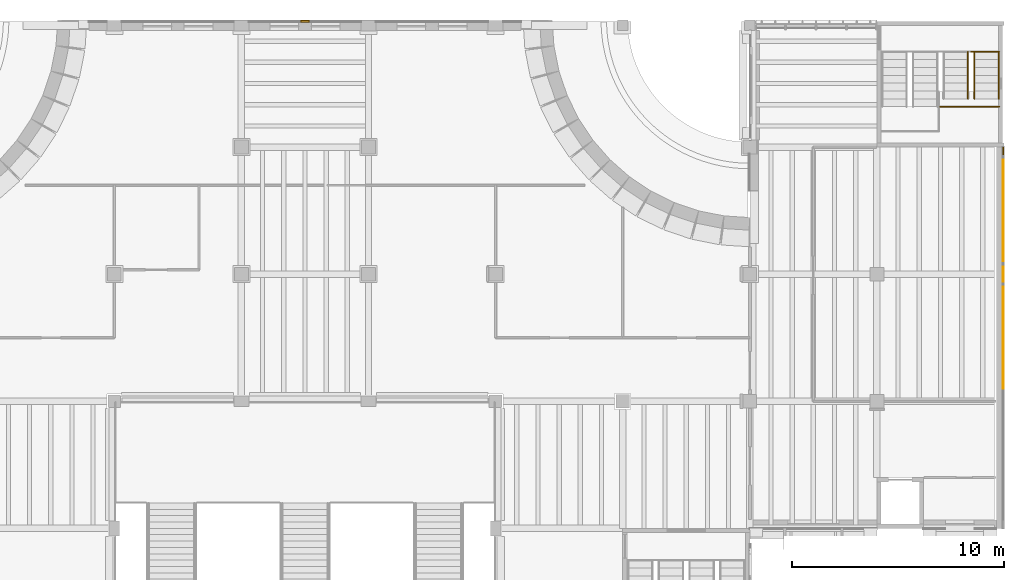
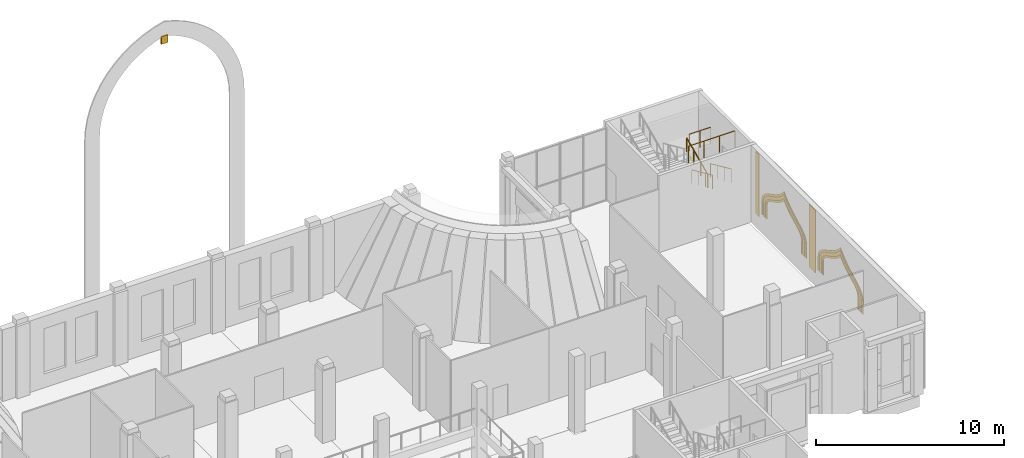
# One storey, part 80 of 80: 9 coverings, 5 railings.
"""IFC4 building model written with IfcOpenShell, lengths in metres."""

from ifc_helpers import new_model, si_unit, direction, frame, origin, origin_2d, place, context, subcontext, project, spatial, polyline, rectangle, circle, outline, extrude, material, layer, layer_set, type_object, element, save


model = new_model("IFC4")

# Units and contexts
model_context = context("Model", 3, precision=1e-05, world=origin(), true_north=direction((0.0, 1.0)))
body_context = subcontext(model_context, "Body", "Model", "MODEL_VIEW")
ifc_project = project(units=[si_unit("LENGTHUNIT", "METRE"), si_unit("AREAUNIT", "SQUARE_METRE"), si_unit("VOLUMEUNIT", "CUBIC_METRE"), si_unit("PLANEANGLEUNIT", "RADIAN"), si_unit("MASSUNIT", "GRAM", prefix="KILO")], contexts=[model_context])

# Site, building, storey
site_placement = place(None, origin())
site = spatial("IfcSite", under=ifc_project, at=site_placement, CompositionType="ELEMENT")
building_placement = place(site_placement, origin())
building = spatial("IfcBuilding", under=site, at=building_placement, Name="Saffron Lane Theatres", CompositionType="ELEMENT")
storey_placement = place(building_placement, frame((0.0, 0.0, 7.0)))
storey = spatial("IfcBuildingStorey", under=building, at=storey_placement, Name="L01", CompositionType="ELEMENT", Elevation=7.0)

# Coverings
ifc_material_1 = material(Name="Face brick cladding, pale buff", Category="masonry")
ifc_layer_1 = layer(ifc_material_1, 0.0400390625)
ifc_layer_set_1 = layer_set([ifc_layer_1], Name="Face brick cladding, pale buff")
covering_type_1 = type_object("IfcCoveringType", Name="EX-FACE BRICK SKIN PALE BUFF 40", PredefinedType="CLADDING", material=ifc_layer_set_1)
covering_1_placement = place(storey_placement, frame((65.9599609375, 114.0, 0.4501953125), z_axis=(0.0, 0.0, 1.0), x_axis=(0.0, 1.0, 0.0)))
element("IfcCovering", 1, at=covering_1_placement, inside=storey, type_object=covering_type_1, Name="Face brick cladding, pale buff L01", PredefinedType="CLADDING", context=body_context, shape_type="SweptSolid", body=[
    extrude(rectangle(XDim=0.699951171875, YDim=0.0400390625, at=origin_2d()), origin(), (0.0, 0.0, 1.0), 4.050048828125),
])
covering_2_placement = place(storey_placement, frame((65.9599609375, 119.824951171875, 0.4501953125), z_axis=(0.0, 0.0, 1.0), x_axis=(0.0, 1.0, 0.0)))
element("IfcCovering", 2, at=covering_2_placement, inside=storey, type_object=covering_type_1, Name="Face brick cladding, pale buff L01", PredefinedType="CLADDING", context=body_context, shape_type="SweptSolid", body=[
    extrude(rectangle(XDim=0.35009765625, YDim=0.0400390625, at=origin_2d()), origin(), (0.0, 0.0, 1.0), 4.050048828125),
])
ifc_material_2 = material(Name="Face brick cladding, pale buff", Category="masonry")
ifc_layer_2 = layer(ifc_material_2, 0.0400390625)
ifc_layer_set_2 = layer_set([ifc_layer_2], Name="Face brick cladding, pale buff")
covering_type_2 = type_object("IfcCoveringType", Name="EX-NICHE FRAME RING FACE BRICK PALE BUFF", PredefinedType="CLADDING", material=ifc_layer_set_2)
covering_3_placement = place(storey_placement, frame((65.93994140625, 109.06005859375, 1.653076171875), z_axis=(-1.0, 0.0, 0.0), x_axis=(0.0, 0.099876874266, 0.994999804013)))
element("IfcCovering", 3, at=covering_3_placement, inside=storey, type_object=covering_type_2, Name="Court wall niche ring", PredefinedType="CLADDING", context=body_context, shape_type="SweptSolid", body=[
    extrude(outline(polyline([(0.0, 0.0), (0.12955404561894843, 0.0), (0.2497165696687542, 0.02621556314756866), (0.35832475713464534, 0.0766554825965173), (0.4560332954801446, 0.14806426397447273), (0.545415847158482, 0.23674842101498333), (0.629993370116488, 0.33867401156754484), (0.7107863118552822, 0.45422933937018484), (0.7928219175708685, 0.5797199980054137), (0.8766094908627686, 0.7128865565994715), (0.966084517720423, 0.8538247108603083), (1.0620958374763683, 0.9987687426649909), (1.1672911847423917, 1.1472075081119215), (1.284900749737322, 1.2970991920478225), (1.4163567475517749, 1.4456009878408547), (1.5628006255483649, 1.5918622158564055), (1.7737061445861615, 1.7716477667142003), (1.602741621653962, 1.9897649695121649), (1.48828955494586, 2.162214616219664), (1.3889716724349337, 2.3338812143938426), (1.3035002227435304, 2.5041579244251517), (1.2299065427258913, 2.670543315716844), (1.1646190661280977, 2.831678325185822), (1.104941290333349, 2.9875882569856316), (1.0492928559339147, 3.134751233018403), (0.9938358129503803, 3.274043237072293), (0.9376219457381072, 3.403351142288582), (0.8749900250359238, 3.520053438360064), (0.8050171393527361, 3.6247335010448185), (0.7234508106665197, 3.7141376762725486), (0.6270346244538634, 3.785157693836958), (0.5144799091860761, 3.8347331313857245), (0.38751056783281335, 3.860482638032556), (-0.46125147201652905, 3.94568034279016), (-0.47322401724720553, 3.826406684643043), (0.369465025751469, 3.7418185799481005), (0.4779246088247263, 3.7198900004864806), (0.5665061690245021, 3.6808180870362555), (0.6429831423196513, 3.6238225515172187), (0.711121246833107, 3.549752233261906), (0.7722082339425219, 3.4592139718798656), (0.8297903657482713, 3.3508703278373937), (0.8836987945348853, 3.227928027501851), (0.9375050865562837, 3.0917461339563324), (0.9929106010816914, 2.9446075419260676), (1.0527337607404408, 2.787701546627645), (1.1194046844238374, 2.623237890778774), (1.1948188832701196, 2.452989245354123), (1.2836649868933148, 2.2772210739281493), (1.3855312277039264, 2.099164486870719), (1.5061998348246213, 1.9202020111163973), (1.6085206302479953, 1.7882288884185995), (1.4820109043382035, 1.679225496081896), (1.32818005380871, 1.527816943159885), (1.1929564975692482, 1.3735591425487692), (1.0709481505372547, 1.2189562852984104), (0.9632007643673937, 1.0670931777636374), (0.8651720134606774, 0.9191618756141529), (0.7753565307189705, 0.7772764258597157), (0.691811877301097, 0.6440854832631513), (0.6120122386078021, 0.5213147910961914), (0.5347439354199902, 0.41153985211414157), (0.45689869753136475, 0.31801708084041325), (0.37891359668496644, 0.24021186952193999), (0.2974130587979655, 0.18116209681061266), (0.21113371649521562, 0.14050384297091023), (0.11655369167884827, 0.11981746741056327), (0.0058995483800086505, 0.11988325820977884), (-0.8367894946186659, 0.20447136290472157), (-0.8487620398493424, 0.08519770475760445), (0.0, 0.0)])), origin(), (0.0, 0.0, -1.0), 0.0400390625),
])
covering_4_placement = place(storey_placement, frame((65.93994140625, 108.800048828125, 1.655029296875), z_axis=(-1.0, 0.0, 0.0), x_axis=(0.0, 0.097602498656, 0.995225478098)))
element("IfcCovering", 4, at=covering_4_placement, inside=storey, type_object=covering_type_2, Name="Court wall niche ring", PredefinedType="CLADDING", context=body_context, shape_type="SweptSolid", body=[
    extrude(outline(polyline([(0.0, 0.0), (0.15258398432499873, 1.734723475976807e-18), (0.29645993322143693, 0.031272675590742816), (0.42680155125957014, 0.0896304195681118), (0.5423986512082086, 0.17273879716981205), (0.6477579890667828, 0.27402303070438017), (0.7455808058629483, 0.39101040061938547), (0.8397117312704844, 0.5203801187765632), (0.9321183937863253, 0.662184530265965), (1.0282032754657822, 0.8114781959827291), (1.1289621049248337, 0.9684087759570008), (1.2382156831022364, 1.1294125070802765), (1.357688663524685, 1.2945655631776314), (1.4896486823694093, 1.459475253669747), (1.6372544142495142, 1.6238318050013187), (1.8037168788681561, 1.7853578151201082), (2.0688627291888095, 2.007610379858595), (1.8519462385555683, 2.2771391548835567), (1.7200354397208926, 2.467926851611112), (1.6071720035049413, 2.657827806887796), (1.5097636504441834, 2.8452318232420244), (1.4246517059255135, 3.030448674229103), (1.3487583567809058, 3.209609901440229), (1.2804066069537123, 3.3831252809908046), (1.215251423334661, 3.549213126644078), (1.1520587899575392, 3.7052960286675165), (1.0848543351264734, 3.850488026880248), (1.0116227728744827, 3.9842508262517446), (0.9279475838872251, 4.104073815634537), (0.8306986099066238, 4.2080561651167585), (0.7142968018571942, 4.2918387787291215), (0.5791183412443062, 4.349251967275562), (0.4294414625921653, 4.378894913644702), (-0.42145688318431607, 4.462343143696736), (-0.44097261716850117, 4.263346643071111), (0.399963754828187, 4.180875391155038), (0.519311732050513, 4.157150565041714), (0.615662245530231, 4.116546791196799), (0.6983006892264692, 4.056190949192467), (0.77276314236467, 3.977502606620111), (0.8416270146773671, 3.8792477475135207), (0.9062786697809234, 3.7605544745518387), (0.9683618997569547, 3.6256771935242464), (1.0300158218675641, 3.473915495875056), (1.0941467605156083, 3.3098905936588103), (1.1635227553138088, 3.134312270671207), (1.2418314006657907, 2.949762624264784), (1.3294348152169098, 2.757432700555713), (1.432764804248489, 2.56037140572199), (1.5516975364654069, 2.3598174433498347), (1.691526116122866, 2.157214209765664), (1.7901704383248391, 2.0349419389304635), (1.669651337371362, 1.934163187086392), (1.4932218207179218, 1.7635568663836765), (1.337497521624836, 1.5889574747070354), (1.1978525404175568, 1.415724914896738), (1.0745536808013472, 1.2440783331879997), (0.9618839995455866, 1.0782580725099888), (0.8597196653551532, 0.9195028364489235), (0.7649449734669844, 0.7710619269379977), (0.6750778290886398, 0.6351412598243799), (0.5878791123979186, 0.5139229222202154), (0.501400336012905, 0.4100511224431035), (0.4147602273727329, 0.32704665375150543), (0.3264294504508987, 0.26432356364484505), (0.23363996563468137, 0.2211720683274247), (0.13123695345901337, 0.20006019973167052), (0.009553760204391889, 0.19997347876158528), (-0.8313826117922963, 0.2824447306776592), (-0.8508983457764814, 0.08344823005203435), (0.0, 0.0)])), origin(), (0.0, 0.0, -1.0), 0.0400390625),
])
covering_5_placement = place(storey_placement, frame((65.93994140625, 108.60009765625, 1.653076171875), z_axis=(-1.0, 0.0, 0.0), x_axis=(0.0, 0.095154505176, 0.99546251569)))
element("IfcCovering", 5, at=covering_5_placement, inside=storey, type_object=covering_type_2, Name="Court wall niche ring", PredefinedType="CLADDING", context=body_context, shape_type="SweptSolid", body=[
    extrude(outline(polyline([(0.0, 0.0), (0.16677235193015855, 0.0), (0.32047811465792414, 0.032641454919435056), (0.4590908231729695, 0.0946845225504361), (0.5839400100746629, 0.18207805987853046), (0.6988087674501847, 0.29078164592633693), (0.8063811785848192, 0.41808617932202474), (0.9105332598872079, 0.5609233704511917), (1.0145852688434076, 0.715542293337932), (1.1229582587475542, 0.8820108542171596), (1.235986399755671, 1.0561278015551183), (1.3596293574845506, 1.2360971941389518), (1.4949396785753588, 1.4201016466816205), (1.6451107430752343, 1.605628628491308), (1.814574326315404, 1.7902924863151148), (2.003537721012975, 1.9711303639033744), (2.2729968091763255, 2.193569745407349), (2.0505574276723513, 2.4630288335707), (1.899274845327305, 2.6763902236703863), (1.7678637717255044, 2.889814158986441), (1.6555593682210754, 3.100430707590657), (1.5575581621969465, 3.3067369972840184), (1.4702486141594036, 3.506870967624936), (1.3923458666636273, 3.700219675493003), (1.317379170324789, 3.8832323396046915), (1.2446194266206547, 4.055978653201097), (1.169297116051609, 4.2147452174361355), (1.0877899770868467, 4.36012353135603), (0.995594754147862, 4.488619997875076), (0.8895627423420656, 4.598083061550211), (0.7653068414927785, 4.68623428949945), (0.6204753514645593, 4.7464313797445), (0.45672303998189034, 4.778025649041314), (-0.39243370558018253, 4.859195043837689), (-0.40574511462950213, 4.719937226090961), (0.4373358099139526, 4.639348608303719), (0.5794010143725186, 4.6117893989657395), (0.6963212548449152, 4.562353659948372), (0.797934000362758, 4.491327312240725), (0.8884637335401684, 4.39928755883957), (0.9690326942594091, 4.285146112980101), (1.0446873879782967, 4.150382615780968), (1.1174078175464282, 3.997750843768552), (1.1885949958104496, 3.8290789042669844), (1.2617335848251565, 3.6474672530019423), (1.3414876707254295, 3.4529605651279733), (1.4296174546004858, 3.2485788810925684), (1.5307995316284795, 3.0370634683788333), (1.6466547164164358, 2.819976170389789), (1.7812806141395585, 2.5991325854062923), (1.938844523214147, 2.3770774102314363), (2.075897175332353, 2.2124101515836108), (1.9101309078826303, 2.076688819070955), (1.7133529351514076, 1.8885045590687133), (1.5393271251287282, 1.6971644461491542), (1.3844437253270598, 1.505956571687059), (1.2450232900177747, 1.3174399285349754), (1.1197702397189615, 1.1334551330603078), (1.004611987341964, 0.9575797716393137), (0.8983923398870634, 0.7931126576838663), (0.7965401355408397, 0.6409812474023956), (0.6962211824987262, 0.5048900046100767), (0.5964061651999217, 0.3868993474346942), (0.4957655510450578, 0.29106041889072065), (0.389345758897779, 0.21686570922248327), (0.27611747319728386, 0.1663756365577664), (0.15194913565091217, 0.13998512926278028), (0.00723558803070144, 0.13983859475586066), (-0.8358453365127533, 0.22042721254310266), (-0.8491567455620729, 0.08116939479637461), (0.0, 0.0)])), origin(), (0.0, 0.0, -1.0), 0.0400390625),
])
covering_6_placement = place(storey_placement, frame((65.93994140625, 115.06005859375, 1.653076171875), z_axis=(-1.0, 0.0, 0.0), x_axis=(0.0, 0.099876874266, 0.994999804013)))
element("IfcCovering", 6, at=covering_6_placement, inside=storey, type_object=covering_type_2, Name="Court wall niche ring", PredefinedType="CLADDING", context=body_context, shape_type="SweptSolid", body=[
    extrude(outline(polyline([(0.0, 0.0), (0.12955404561894843, 0.0), (0.2497165696687542, 0.02621556314756866), (0.35832475713464534, 0.0766554825965173), (0.4560332954801446, 0.14806426397447273), (0.545415847158482, 0.23674842101498333), (0.629993370116488, 0.33867401156754484), (0.7107863118552822, 0.45422933937018484), (0.7928219175708685, 0.5797199980054137), (0.8766094908627686, 0.7128865565994715), (0.966084517720423, 0.8538247108603083), (1.0620958374763683, 0.9987687426649909), (1.1672911847423917, 1.1472075081119215), (1.284900749737322, 1.2970991920478225), (1.4163567475517749, 1.4456009878408547), (1.5628006255483649, 1.5918622158564055), (1.7737061445861615, 1.7716477667142003), (1.602741621653962, 1.9897649695121649), (1.48828955494586, 2.162214616219664), (1.3889716724349337, 2.3338812143938426), (1.3035002227435304, 2.5041579244251517), (1.2299065427258913, 2.670543315716844), (1.1646190661280977, 2.831678325185822), (1.104941290333349, 2.9875882569856316), (1.0492928559339147, 3.134751233018403), (0.9938358129503803, 3.274043237072293), (0.9376219457381072, 3.403351142288582), (0.8749900250359238, 3.520053438360064), (0.8050171393527361, 3.6247335010448185), (0.7234508106665197, 3.7141376762725486), (0.6270346244538634, 3.785157693836958), (0.5144799091860761, 3.8347331313857245), (0.38751056783281335, 3.860482638032556), (-0.46125147201652905, 3.94568034279016), (-0.47322401724720553, 3.826406684643043), (0.369465025751469, 3.7418185799481005), (0.4779246088247263, 3.7198900004864806), (0.5665061690245021, 3.6808180870362555), (0.6429831423196513, 3.6238225515172187), (0.711121246833107, 3.549752233261906), (0.7722082339425219, 3.4592139718798656), (0.8297903657482713, 3.3508703278373937), (0.8836987945348853, 3.227928027501851), (0.9375050865562837, 3.0917461339563324), (0.9929106010816914, 2.9446075419260676), (1.0527337607404408, 2.787701546627645), (1.1194046844238374, 2.623237890778774), (1.1948188832701196, 2.452989245354123), (1.2836649868933148, 2.2772210739281493), (1.3855312277039264, 2.099164486870719), (1.5061998348246213, 1.9202020111163973), (1.6085206302479953, 1.7882288884185995), (1.4820109043382035, 1.679225496081896), (1.32818005380871, 1.527816943159885), (1.1929564975692482, 1.3735591425487692), (1.0709481505372547, 1.2189562852984104), (0.9632007643673937, 1.0670931777636374), (0.8651720134606774, 0.9191618756141529), (0.7753565307189705, 0.7772764258597157), (0.691811877301097, 0.6440854832631513), (0.6120122386078021, 0.5213147910961914), (0.5347439354199902, 0.41153985211414157), (0.45689869753136475, 0.31801708084041325), (0.37891359668496644, 0.24021186952193999), (0.2974130587979655, 0.18116209681061266), (0.21113371649521562, 0.14050384297091023), (0.11655369167884827, 0.11981746741056327), (0.0058995483800086505, 0.11988325820977884), (-0.8367894946186659, 0.20447136290472157), (-0.8487620398493424, 0.08519770475760445), (0.0, 0.0)])), origin(), (0.0, 0.0, -1.0), 0.0400390625),
])
covering_7_placement = place(storey_placement, frame((65.93994140625, 114.800048828125, 1.655029296875), z_axis=(-1.0, 0.0, 0.0), x_axis=(0.0, 0.097602498656, 0.995225478098)))
element("IfcCovering", 7, at=covering_7_placement, inside=storey, type_object=covering_type_2, Name="Court wall niche ring", PredefinedType="CLADDING", context=body_context, shape_type="SweptSolid", body=[
    extrude(outline(polyline([(0.0, 0.0), (0.15258398432499873, 1.734723475976807e-18), (0.29645993322143693, 0.031272675590742816), (0.42680155125957014, 0.0896304195681118), (0.5423986512082086, 0.17273879716981205), (0.6477579890667828, 0.27402303070438017), (0.7455808058629483, 0.39101040061938547), (0.8397117312704844, 0.5203801187765632), (0.9321183937863253, 0.662184530265965), (1.0282032754657822, 0.8114781959827291), (1.1289621049248337, 0.9684087759570008), (1.2382156831022364, 1.1294125070802765), (1.357688663524685, 1.2945655631776314), (1.4896486823694093, 1.459475253669747), (1.6372544142495142, 1.6238318050013187), (1.8037168788681561, 1.7853578151201082), (2.0688627291888095, 2.007610379858595), (1.8519462385555683, 2.2771391548835567), (1.7200354397208926, 2.467926851611112), (1.6071720035049413, 2.657827806887796), (1.5097636504441834, 2.8452318232420244), (1.4246517059255135, 3.030448674229103), (1.3487583567809058, 3.209609901440229), (1.2804066069537123, 3.3831252809908046), (1.215251423334661, 3.549213126644078), (1.1520587899575392, 3.7052960286675165), (1.0848543351264734, 3.850488026880248), (1.0116227728744827, 3.9842508262517446), (0.9279475838872251, 4.104073815634537), (0.8306986099066238, 4.2080561651167585), (0.7142968018571942, 4.2918387787291215), (0.5791183412443062, 4.349251967275562), (0.4294414625921653, 4.378894913644702), (-0.42145688318431607, 4.462343143696736), (-0.44097261716850117, 4.263346643071111), (0.399963754828187, 4.180875391155038), (0.519311732050513, 4.157150565041714), (0.615662245530231, 4.116546791196799), (0.6983006892264692, 4.056190949192467), (0.77276314236467, 3.977502606620111), (0.8416270146773671, 3.8792477475135207), (0.9062786697809234, 3.7605544745518387), (0.9683618997569547, 3.6256771935242464), (1.0300158218675641, 3.473915495875056), (1.0941467605156083, 3.3098905936588103), (1.1635227553138088, 3.134312270671207), (1.2418314006657907, 2.949762624264784), (1.3294348152169098, 2.757432700555713), (1.432764804248489, 2.56037140572199), (1.5516975364654069, 2.3598174433498347), (1.691526116122866, 2.157214209765664), (1.7901704383248391, 2.0349419389304635), (1.669651337371362, 1.934163187086392), (1.4932218207179218, 1.7635568663836765), (1.337497521624836, 1.5889574747070354), (1.1978525404175568, 1.415724914896738), (1.0745536808013472, 1.2440783331879997), (0.9618839995455866, 1.0782580725099888), (0.8597196653551532, 0.9195028364489235), (0.7649449734669844, 0.7710619269379977), (0.6750778290886398, 0.6351412598243799), (0.5878791123979186, 0.5139229222202154), (0.501400336012905, 0.4100511224431035), (0.4147602273727329, 0.32704665375150543), (0.3264294504508987, 0.26432356364484505), (0.23363996563468137, 0.2211720683274247), (0.13123695345901337, 0.20006019973167052), (0.009553760204391889, 0.19997347876158528), (-0.8313826117922963, 0.2824447306776592), (-0.8508983457764814, 0.08344823005203435), (0.0, 0.0)])), origin(), (0.0, 0.0, -1.0), 0.0400390625),
])
covering_8_placement = place(storey_placement, frame((65.93994140625, 114.60009765625, 1.653076171875), z_axis=(-1.0, 0.0, 0.0), x_axis=(0.0, 0.095154505176, 0.99546251569)))
element("IfcCovering", 8, at=covering_8_placement, inside=storey, type_object=covering_type_2, Name="Court wall niche ring", PredefinedType="CLADDING", context=body_context, shape_type="SweptSolid", body=[
    extrude(outline(polyline([(0.0, 0.0), (0.16677235193015855, 0.0), (0.32047811465792414, 0.032641454919435056), (0.4590908231729695, 0.0946845225504361), (0.5839400100746629, 0.18207805987853046), (0.6988087674501847, 0.29078164592633693), (0.8063811785848192, 0.41808617932202474), (0.9105332598872079, 0.5609233704511917), (1.0145852688434076, 0.715542293337932), (1.1229582587475542, 0.8820108542171596), (1.235986399755671, 1.0561278015551183), (1.3596293574845506, 1.2360971941389518), (1.4949396785753588, 1.4201016466816205), (1.6451107430752343, 1.605628628491308), (1.814574326315404, 1.7902924863151148), (2.003537721012975, 1.9711303639033744), (2.2729968091763255, 2.193569745407349), (2.0505574276723513, 2.4630288335707), (1.899274845327305, 2.6763902236703863), (1.7678637717255044, 2.889814158986441), (1.6555593682210754, 3.100430707590657), (1.5575581621969465, 3.3067369972840184), (1.4702486141594036, 3.506870967624936), (1.3923458666636273, 3.700219675493003), (1.317379170324789, 3.8832323396046915), (1.2446194266206547, 4.055978653201097), (1.169297116051609, 4.2147452174361355), (1.0877899770868467, 4.36012353135603), (0.995594754147862, 4.488619997875076), (0.8895627423420656, 4.598083061550211), (0.7653068414927785, 4.68623428949945), (0.6204753514645593, 4.7464313797445), (0.45672303998189034, 4.778025649041314), (-0.39243370558018253, 4.859195043837689), (-0.40574511462950213, 4.719937226090961), (0.4373358099139526, 4.639348608303719), (0.5794010143725186, 4.6117893989657395), (0.6963212548449152, 4.562353659948372), (0.797934000362758, 4.491327312240725), (0.8884637335401684, 4.39928755883957), (0.9690326942594091, 4.285146112980101), (1.0446873879782967, 4.150382615780968), (1.1174078175464282, 3.997750843768552), (1.1885949958104496, 3.8290789042669844), (1.2617335848251565, 3.6474672530019423), (1.3414876707254295, 3.4529605651279733), (1.4296174546004858, 3.2485788810925684), (1.5307995316284795, 3.0370634683788333), (1.6466547164164358, 2.819976170389789), (1.7812806141395585, 2.5991325854062923), (1.938844523214147, 2.3770774102314363), (2.075897175332353, 2.2124101515836108), (1.9101309078826303, 2.076688819070955), (1.7133529351514076, 1.8885045590687133), (1.5393271251287282, 1.6971644461491542), (1.3844437253270598, 1.505956571687059), (1.2450232900177747, 1.3174399285349754), (1.1197702397189615, 1.1334551330603078), (1.004611987341964, 0.9575797716393137), (0.8983923398870634, 0.7931126576838663), (0.7965401355408397, 0.6409812474023956), (0.6962211824987262, 0.5048900046100767), (0.5964061651999217, 0.3868993474346942), (0.4957655510450578, 0.29106041889072065), (0.389345758897779, 0.21686570922248327), (0.27611747319728386, 0.1663756365577664), (0.15194913565091217, 0.13998512926278028), (0.00723558803070144, 0.13983859475586066), (-0.8358453365127533, 0.22042721254310266), (-0.8491567455620729, 0.08116939479637461), (0.0, 0.0)])), origin(), (0.0, 0.0, -1.0), 0.0400390625),
])
ifc_material_3 = material(Name="Masonry sandstone", Category="masonry")
ifc_layer_3 = layer(ifc_material_3, 0.090087890625)
ifc_layer_set_3 = layer_set([ifc_layer_3], Name="Masonry sandstone")
covering_type_3 = type_object("IfcCoveringType", Name="EX-PORTAL KEYSTONE SANDSTONE 50", PredefinedType="CLADDING", material=ifc_layer_set_3)
covering_9_placement = place(storey_placement, frame((33.0, 125.945068359375, 19.47412109375), z_axis=(0.0, 0.0, 1.0), x_axis=(1.0, 0.0, 0.0)))
element("IfcCovering", 9, at=covering_9_placement, inside=storey, type_object=covering_type_3, Name="Portal keystone", PredefinedType="CLADDING", context=body_context, shape_type="SweptSolid", body=[
    extrude(rectangle(XDim=0.39990234375, YDim=0.090087890625, at=origin_2d()), origin(), (0.0, 0.0, 1.0), 0.5),
])

# Railings
ifc_material_4 = material(Name="Steel Grade 350", Category="steel")
railing_type_1 = type_object("IfcRailingType", Name="VC-GUARD 1100", PredefinedType="GUARDRAIL", material=ifc_material_4)
railing_1_placement = place(storey_placement, frame((65.77001953125, 121.909912109375, 3.666748046875)))
element("IfcRailing", 10, at=railing_1_placement, inside=storey, type_object=railing_type_1, Name="East Wing Street Stair landing guard 2N2s", PredefinedType="GUARDRAIL", context=body_context, shape_type="SweptSolid", body=[
    extrude(circle(Radius=0.02392578125, at=origin_2d()), frame((0.0, 0.0, 1.076171875), z_axis=(-1.0, 0.0, 0.0), x_axis=(0.0, -1.0, 0.0)), (0.0, 0.0, 1.0), 2.8701171875),
    extrude(circle(Radius=0.02099609375, at=origin_2d()), origin(), (0.0, 0.0, 1.0), 1.052001953125),
    extrude(circle(Radius=0.02099609375, at=origin_2d()), frame((-0.956787109375, 0.0, 0.0)), (0.0, 0.0, 1.0), 1.052001953125),
    extrude(circle(Radius=0.02099609375, at=origin_2d()), frame((-1.913330078125, 0.0, 0.0)), (0.0, 0.0, 1.0), 1.052001953125),
    extrude(circle(Radius=0.02099609375, at=origin_2d()), frame((-2.8701171875, 0.0, 0.0)), (0.0, 0.0, 1.0), 1.052001953125),
])
railing_2_placement = place(storey_placement, frame((65.77001953125, 124.5, 2.333251953125)))
element("IfcRailing", 11, at=railing_2_placement, inside=storey, type_object=railing_type_1, Name="East Wing Street Stair landing guard 2S2w", PredefinedType="GUARDRAIL", context=body_context, shape_type="SweptSolid", body=[
    extrude(circle(Radius=0.02392578125, at=origin_2d()), frame((0.0, 0.0, 1.076171875), z_axis=(-1.0, 0.0, 0.0), x_axis=(0.0, -1.0, 0.0)), (0.0, 0.0, 1.0), 1.320068359375),
    extrude(circle(Radius=0.02099609375, at=origin_2d()), origin(), (0.0, 0.0, 1.0), 1.052001953125),
    extrude(circle(Radius=0.02099609375, at=origin_2d()), frame((-0.66015625, 0.0, 0.0)), (0.0, 0.0, 1.0), 1.052001953125),
    extrude(circle(Radius=0.02099609375, at=origin_2d()), frame((-1.320068359375, 0.0, 0.0)), (0.0, 0.0, 1.0), 1.052001953125),
])
ifc_material_5 = material(Name="Steel Grade 350", Category="steel")
railing_type_2 = type_object("IfcRailingType", Name="VC-HANDRAIL 900", PredefinedType="HANDRAIL", material=ifc_material_5)
for number, where, name in (
    (12, (65.75, 124.5, 0.166748046875), "East Wing Street Stair handrail 2.1a"),
    (13, (64.60009765625, 124.5, 0.166748046875), "East Wing Street Stair handrail 2.1b"),
):
    element("IfcRailing", number, at=place(storey_placement, frame(where)), inside=storey, type_object=railing_type_2, Name=name, PredefinedType="HANDRAIL", context=body_context, shape_type="SweptSolid", body=[
        extrude(circle(Radius=0.02392578125, at=origin_2d()), frame((0.0, 0.0, 0.8759765625), z_axis=(0.0, -0.911803263409, 0.410627335715), x_axis=(1.0, 0.0, 0.0)), (0.0, 0.0, 1.0), 0.8115234375),
        extrude(circle(Radius=0.02392578125, at=origin_2d()), frame((0.0, -0.739990234375, 1.208984375), z_axis=(0.0, -0.911803263409, 0.410627335715), x_axis=(1.0, 0.0, 0.0)), (0.0, 0.0, 1.0), 0.8115234375),
        extrude(circle(Radius=0.02392578125, at=origin_2d()), frame((0.0, -1.47998046875, 1.54248046875), z_axis=(0.0, -0.911690610408, 0.410877391559), x_axis=(1.0, 0.0, 0.0)), (0.0, 0.0, 1.0), 0.811767578125),
        extrude(circle(Radius=0.02099609375, at=origin_2d()), origin(), (0.0, 0.0, 1.0), 0.851806640625),
        extrude(circle(Radius=0.02099609375, at=origin_2d()), frame((0.0, -0.739990234375, 0.333251953125)), (0.0, 0.0, 1.0), 0.851806640625),
        extrude(circle(Radius=0.02099609375, at=origin_2d()), frame((0.0, -1.47998046875, 0.66650390625)), (0.0, 0.0, 1.0), 0.851806640625),
        extrude(circle(Radius=0.02099609375, at=origin_2d()), frame((0.0, -2.219970703125, 1.0)), (0.0, 0.0, 1.0), 0.851806640625),
    ])
railing_3_placement = place(storey_placement, frame((64.300048828125, 122.280029296875, 1.333251953125)))
element("IfcRailing", 14, at=railing_3_placement, inside=storey, type_object=railing_type_2, Name="East Wing Street Stair handrail 2.2a", PredefinedType="HANDRAIL", context=body_context, shape_type="SweptSolid", body=[
    extrude(circle(Radius=0.02392578125, at=origin_2d()), frame((0.0, 0.0, 0.8759765625), z_axis=(0.0, 0.911690610408, 0.410877391559), x_axis=(-1.0, 0.0, 0.0)), (0.0, 0.0, 1.0), 0.811767578125),
    extrude(circle(Radius=0.02392578125, at=origin_2d()), frame((0.0, 0.739990234375, 1.20947265625), z_axis=(0.0, 0.911803263409, 0.410627335715), x_axis=(-1.0, 0.0, 0.0)), (0.0, 0.0, 1.0), 0.8115234375),
    extrude(circle(Radius=0.02392578125, at=origin_2d()), frame((0.0, 1.47998046875, 1.54248046875), z_axis=(0.0, 0.911803263409, 0.410627335715), x_axis=(-1.0, 0.0, 0.0)), (0.0, 0.0, 1.0), 0.8115234375),
    extrude(circle(Radius=0.02099609375, at=origin_2d()), origin(), (0.0, 0.0, 1.0), 0.851806640625),
    extrude(circle(Radius=0.02099609375, at=origin_2d()), frame((0.0, 0.739990234375, 0.33349609375)), (0.0, 0.0, 1.0), 0.851806640625),
    extrude(circle(Radius=0.02099609375, at=origin_2d()), frame((0.0, 1.47998046875, 0.666748046875)), (0.0, 0.0, 1.0), 0.851806640625),
    extrude(circle(Radius=0.02099609375, at=origin_2d()), frame((0.0, 2.219970703125, 1.0)), (0.0, 0.0, 1.0), 0.851806640625),
])

save(model, "model.ifc")
